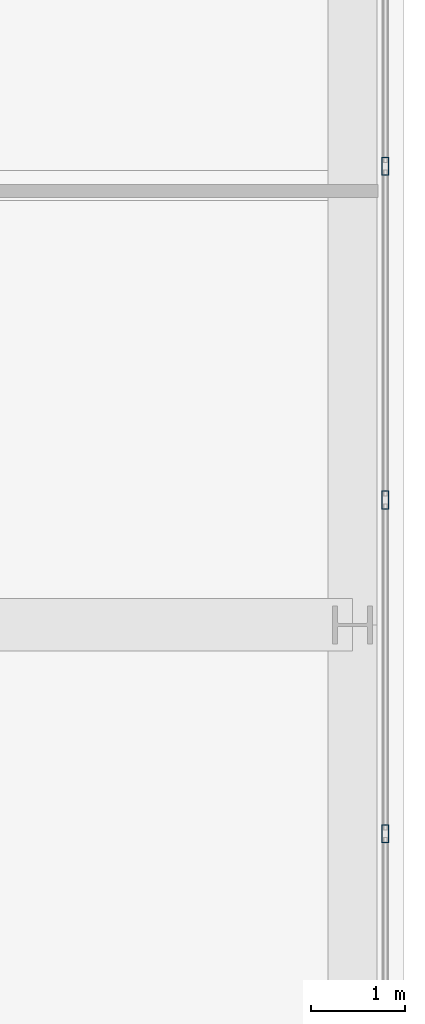
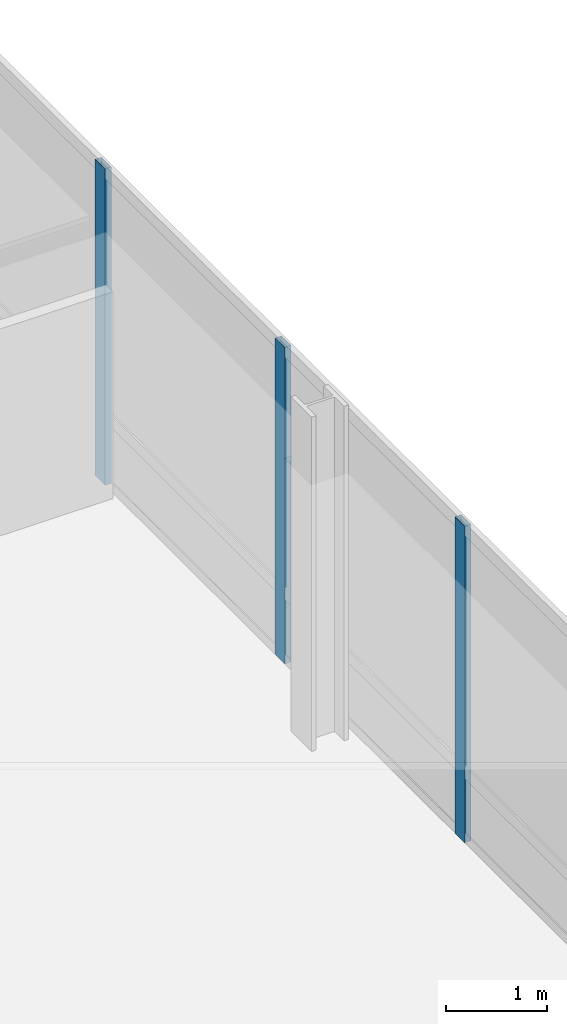
# One storey, part 19 of 35: 3 members, 1 element without a shape of its own.
"""IFC4 building model written with IfcOpenShell, lengths in metres."""

from ifc_helpers import new_model, si_unit, direction, frame, origin, origin_2d, place, context, subcontext, project, spatial, hollow_rectangle, extrude, material, material_profile, profile_set, type_object, element, aggregate, save


model = new_model("IFC4")

# Units and contexts
model_context = context("Model", 3, precision=1e-05, world=origin(), true_north=direction((0.0, 1.0)))
body_context = subcontext(model_context, "Body", "Model", "MODEL_VIEW")
ifc_project = project(units=[si_unit("LENGTHUNIT", "METRE"), si_unit("AREAUNIT", "SQUARE_METRE"), si_unit("VOLUMEUNIT", "CUBIC_METRE"), si_unit("PLANEANGLEUNIT", "RADIAN"), si_unit("MASSUNIT", "GRAM", prefix="KILO")], contexts=[model_context])

# Site, building, storey
site_placement = place(None, origin())
site = spatial("IfcSite", under=ifc_project, at=site_placement, CompositionType="ELEMENT")
building_placement = place(site_placement, origin())
building = spatial("IfcBuilding", under=site, at=building_placement, Name="Punatoya Terracotta Tower", CompositionType="ELEMENT")
storey_placement = place(building_placement, frame((0.0, 0.0, 216.75)))
storey = spatial("IfcBuildingStorey", under=building, at=storey_placement, Name="L51", CompositionType="ELEMENT", Elevation=216.75)

# Curtain wall, members
ifc_material_1 = material(Name="Aluminium 6063-T6 + Double Low-E Glass", Category="aluminium")
curtain_wall_type = type_object("IfcCurtainWallType", Name="CW-M2", PredefinedType="NOTDEFINED", material=ifc_material_1)
curtain_wall_placement = place(storey_placement, origin())
curtain_wall = element("IfcCurtainWall", 1, at=curtain_wall_placement, inside=storey, type_object=curtain_wall_type, Name="L51 Curtain Wall CW-L51-E05-1", PredefinedType="NOTDEFINED")
ifc_material_2 = material(Name="Aluminium 6063-T6", Category="aluminium")
ifc_material_profile = material_profile(ifc_material_2, hollow_rectangle(XDim=0.072021484375, YDim=0.195068359375, WallThickness=0.00439453125, at=origin_2d()))
ifc_profile_set = profile_set([ifc_material_profile], Name="Aluminium 6063-T6")
member_type = type_object("IfcMemberType", Name="CW-MUL-M2", PredefinedType="MULLION", material=ifc_profile_set)
member_1_placement = place(storey_placement, frame((24.85009765625, 1.16748046875, 0.0), z_axis=(0.0, 0.0, 1.0), x_axis=(1.0, 0.0, 0.0)))
member_1 = element("IfcMember", 2, at=member_1_placement, type_object=member_type, Name="CW-L51-E05-1 Mullion 06", PredefinedType="MULLION", context=body_context, shape_type="SweptSolid", body=[
    extrude(hollow_rectangle(XDim=0.072021484375, YDim=0.195068359375, WallThickness=0.00439453125, at=origin_2d()), origin(), (0.0, 0.0, 1.0), 3.830078125),
])
member_2_placement = place(storey_placement, frame((24.85009765625, 4.73486328125, 0.0), z_axis=(0.0, 0.0, 1.0), x_axis=(1.0, 0.0, 0.0)))
member_2 = element("IfcMember", 3, at=member_2_placement, type_object=member_type, Name="CW-L51-E05-1 Mullion 07", PredefinedType="MULLION", context=body_context, shape_type="SweptSolid", body=[
    extrude(hollow_rectangle(XDim=0.072021484375, YDim=0.195068359375, WallThickness=0.00439453125, at=origin_2d()), origin(), (0.0, 0.0, 1.0), 3.830078125),
])
member_3_placement = place(storey_placement, frame((24.85009765625, 8.302001953125, 0.0), z_axis=(0.0, 0.0, 1.0), x_axis=(1.0, 0.0, 0.0)))
member_3 = element("IfcMember", 4, at=member_3_placement, type_object=member_type, Name="CW-L51-E05-1 Mullion 08", PredefinedType="MULLION", context=body_context, shape_type="SweptSolid", body=[
    extrude(hollow_rectangle(XDim=0.072021484375, YDim=0.195068359375, WallThickness=0.00439453125, at=origin_2d()), origin(), (0.0, 0.0, 1.0), 3.830078125),
])
aggregate(curtain_wall, [member_1, member_2, member_3])

save(model, "model.ifc")
